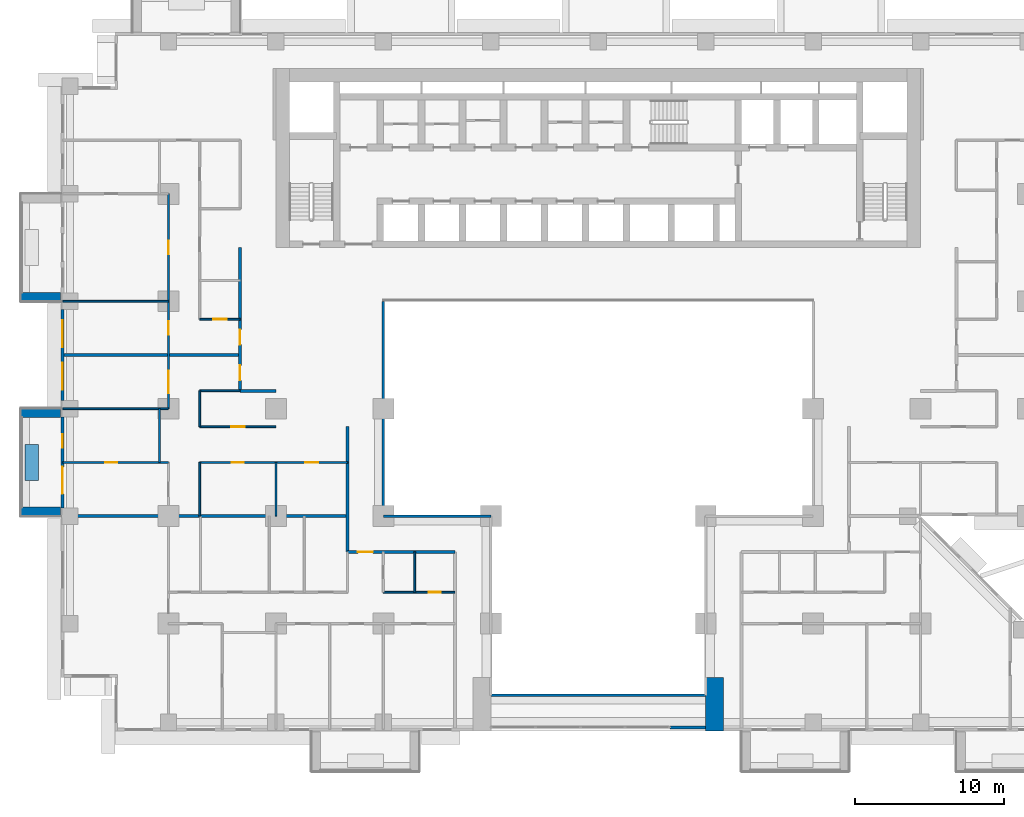
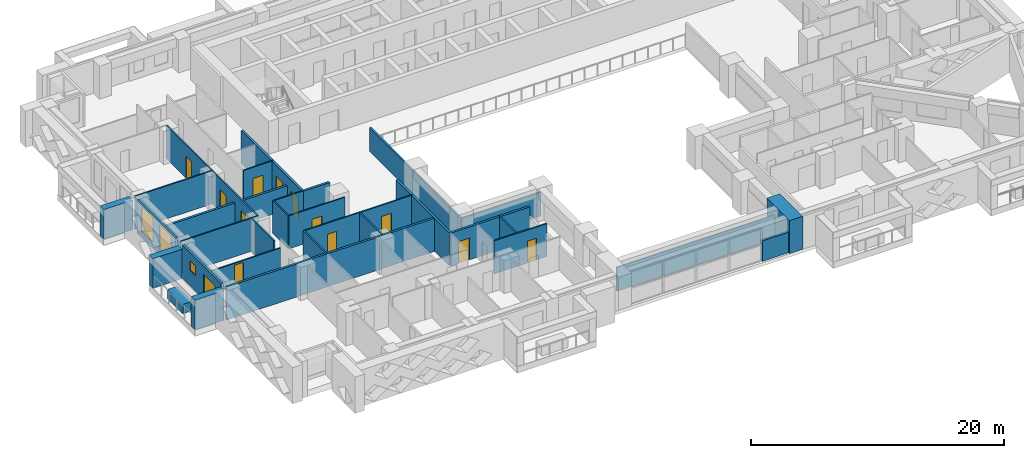
# One storey, part 7 of 17: 31 walls, 13 doors, 3 windows, 16 openings.
"""IFC4 building model written with IfcOpenShell, lengths in metres."""

from ifc_helpers import new_model, si_unit, direction, frame, frame_2d, origin, place, context, subcontext, project, spatial, rectangle, extrude, material, layer, layer_set, type_object, element, fill, save


model = new_model("IFC4")

# Units and contexts
model_context = context("Model", 3, precision=1e-05, world=origin(), true_north=direction((0.0, 1.0)))
body_context = subcontext(model_context, "Body", "Model", "MODEL_VIEW")
ifc_project = project(units=[si_unit("LENGTHUNIT", "METRE"), si_unit("AREAUNIT", "SQUARE_METRE"), si_unit("VOLUMEUNIT", "CUBIC_METRE"), si_unit("PLANEANGLEUNIT", "RADIAN"), si_unit("MASSUNIT", "GRAM", prefix="KILO")], contexts=[model_context])

# Site, building, storey
site_placement = place(None, origin())
site = spatial("IfcSite", under=ifc_project, at=site_placement, CompositionType="ELEMENT")
building_placement = place(site_placement, origin())
building = spatial("IfcBuilding", under=site, at=building_placement, Name="Saffron Iwan Residences", CompositionType="ELEMENT")
storey_placement = place(building_placement, frame((0.0, 0.0, 58.5)))
storey = spatial("IfcBuildingStorey", under=building, at=storey_placement, Name="L14", CompositionType="ELEMENT", Elevation=58.5)

# Walls
ifc_material_1 = material(Name="Fire-rated glazing", Category="glass")
ifc_layer_1 = layer(ifc_material_1, 0.14990234375)
ifc_layer_set_1 = layer_set([ifc_layer_1], Name="Fire-rated glazing")
wall_type_1 = type_object("IfcWallType", Name="Atrium glazed screen 150", PredefinedType="SOLIDWALL", material=ifc_layer_set_1)
wall_1_placement = place(storey_placement, frame((43.199951171875, 36.0, 0.0), z_axis=(0.0, 0.0, 1.0), x_axis=(1.0, 0.0, 0.0)))
element("IfcWall", 1, at=wall_1_placement, inside=storey, type_object=wall_type_1, Name="W-L14-SCREEN-h36-43.2", PredefinedType="SOLIDWALL", context=body_context, shape_type="SweptSolid", body=[
    extrude(rectangle(XDim=14.400146484375, YDim=0.14990234375, at=frame_2d((7.2001953125, 0.0))), origin(), (0.0, 0.0, 1.0), 2.280029296875),
])
wall_2_placement = place(storey_placement, frame((36.0, 48.0, 0.0), z_axis=(0.0, 0.0, 1.0), x_axis=(1.0, 0.0, 0.0)))
element("IfcWall", 2, at=wall_2_placement, inside=storey, type_object=wall_type_1, Name="W-L14-SCREEN-h48-36", PredefinedType="SOLIDWALL", context=body_context, shape_type="SweptSolid", body=[
    extrude(rectangle(XDim=7.199951171875, YDim=0.14990234375, at=frame_2d((3.60009765625, 0.0))), origin(), (0.0, 0.0, 1.0), 2.280029296875),
])
wall_3_placement = place(storey_placement, frame((36.0, 48.0, 0.0), z_axis=(0.0, 0.0, 1.0), x_axis=(0.0, 1.0, 0.0)))
element("IfcWall", 3, at=wall_3_placement, inside=storey, type_object=wall_type_1, Name="W-L14-SCREEN-v36-48", PredefinedType="SOLIDWALL", context=body_context, shape_type="SweptSolid", body=[
    extrude(rectangle(XDim=14.39990234375, YDim=0.14990234375, at=frame_2d((7.199951171875, 0.0))), origin(), (0.0, 0.0, 1.0), 2.280029296875),
])
ifc_material_2 = material(Name="Concrete C50/60 white painted", Category="concrete")
ifc_layer_2 = layer(ifc_material_2, 0.60009765625)
ifc_layer_set_2 = layer_set([ifc_layer_2], Name="Concrete C50/60 white painted")
wall_type_2 = type_object("IfcWallType", Name="BALCONY FIN 600", PredefinedType="SOLIDWALL", material=ifc_layer_set_2)
for number, where, z_axis, x_axis, name in (
    (4, (14.35009765625, 62.699951171875, 0.0), (0.0, 0.0, 1.0), (-1.0, 0.0, 0.0), "Balcony fin L14 F8-0b"),
    (5, (14.35009765625, 54.89990234375, 0.0), (0.0, 0.0, 1.0), (-1.0, 0.0, 0.0), "Balcony fin L14 F8-1a"),
    (6, (14.35009765625, 48.300048828125, 0.0), (0.0, 0.0, 1.0), (-1.0, 0.0, 0.0), "Balcony fin L14 F8-1b"),
):
    element("IfcWall", number, at=place(storey_placement, frame(where, z_axis=z_axis, x_axis=x_axis)), inside=storey, type_object=wall_type_2, Name=name, PredefinedType="SOLIDWALL", context=body_context, shape_type="SweptSolid", body=[
        extrude(rectangle(XDim=2.650146484375, YDim=0.60009765625, at=frame_2d((1.3251953125, 0.0))), origin(), (0.0, 0.0, 1.0), 2.85009765625),
    ])
ifc_material_3 = material(Name="Concrete C35/45 white painted", Category="concrete")
ifc_layer_3 = layer(ifc_material_3, 0.14990234375)
ifc_layer_set_3 = layer_set([ifc_layer_3], Name="Concrete C35/45 white painted")
wall_type_3 = type_object("IfcWallType", Name="BALCONY PLANTER", PredefinedType="SOLIDWALL", material=ifc_layer_set_3)
wall_4_placement = place(storey_placement, frame((12.425048828125, 52.800048828125, 0.0), z_axis=(0.0, 0.0, 1.0), x_axis=(0.0, -1.0, 0.0)))
element("IfcWall", 7, at=wall_4_placement, inside=storey, type_object=wall_type_3, Name="PLANTER L14 F8-1", PredefinedType="SOLIDWALL", context=body_context, shape_type="SweptSolid", body=[
    extrude(rectangle(XDim=2.400146484375, YDim=0.89990234375, at=frame_2d((1.2001953125, 0.0))), origin(), (0.0, 0.0, 1.0), 0.89990234375),
])

# Wall, openings, windows
ifc_material_4 = material(Name="Concrete C40/50", Category="concrete")
ifc_layer_4 = layer(ifc_material_4, 0.199951171875)
ifc_layer_set_4 = layer_set([ifc_layer_4], Name="Concrete C40/50")
wall_type_4 = type_object("IfcWallType", Name="EXTERNAL WALL 200", PredefinedType="SOLIDWALL", material=ifc_layer_set_4)
wall_5_placement = place(storey_placement, frame((14.5, 61.85009765625, 0.0), z_axis=(0.0, 0.0, 1.0), x_axis=(0.0, -1.0, 0.0)))
wall_5 = element("IfcWall", 8, at=wall_5_placement, inside=storey, type_object=wall_type_4, Name="External wall L14 F8.2", PredefinedType="SOLIDWALL", context=body_context, shape_type="SweptSolid", body=[
    extrude(rectangle(XDim=6.10009765625, YDim=0.199951171875, at=frame_2d((3.050048828125, 0.0))), origin(), (0.0, 0.0, 1.0), 3.179931640625),
])
opening_1_placement = place(wall_5_placement, frame((3.574951171875, 0.0, 0.60009765625)))
opening_1 = element("IfcOpeningElement", 9, at=opening_1_placement, cuts=wall_5, Name="Opening W8", PredefinedType="OPENING", context=body_context, shape_type="SweptSolid", body=[
    extrude(rectangle(XDim=1.800048828125, YDim=2.39990234375, at=frame_2d((0.89990234375, 1.199951171875))), frame((0.0, 0.10986328125, 0.0), z_axis=(0.0, -1.0, 0.0), x_axis=(1.0, 0.0, 0.0)), (0.0, 0.0, 1.0), 0.219970703125),
])
opening_2_placement = place(wall_5_placement, frame((0.72509765625, 0.0, 0.60009765625)))
opening_2 = element("IfcOpeningElement", 10, at=opening_2_placement, cuts=wall_5, Name="Opening W8", PredefinedType="OPENING", context=body_context, shape_type="SweptSolid", body=[
    extrude(rectangle(XDim=1.800048828125, YDim=2.39990234375, at=frame_2d((0.89990234375, 1.199951171875))), frame((0.0, 0.10986328125, 0.0), z_axis=(0.0, -1.0, 0.0), x_axis=(1.0, 0.0, 0.0)), (0.0, 0.0, 1.0), 0.219970703125),
])
ifc_material_5 = material(Name="Clear glass, laminated double glazed", Category="glass")
window_type_1 = type_object("IfcWindowType", Name="WINDOW 1800 x 2400", PartitioningType="DOUBLE_PANEL_VERTICAL", PredefinedType="WINDOW", material=ifc_material_5)
window_1_placement = place(opening_1_placement, origin())
window_1 = element("IfcWindow", 11, at=window_1_placement, inside=storey, type_object=window_type_1, Name="Window L14 F8.0", OverallHeight=2.39990234375, OverallWidth=1.800048828125, PartitioningType="DOUBLE_PANEL_VERTICAL", PredefinedType="WINDOW", context=body_context, shape_type="SweptSolid", body=[
    extrude(rectangle(XDim=1.800048828125, YDim=2.39990234375, at=frame_2d((0.89990234375, 1.199951171875))), frame((0.0, 0.030029296875, 0.0), z_axis=(0.0, -1.0, 0.0), x_axis=(1.0, 0.0, 0.0)), (0.0, 0.0, 1.0), 0.06005859375),
])
fill(opening_1, window_1)
window_2_placement = place(opening_2_placement, origin())
window_2 = element("IfcWindow", 12, at=window_2_placement, inside=storey, type_object=window_type_1, Name="Window L14 F8.1", OverallHeight=2.39990234375, OverallWidth=1.800048828125, PartitioningType="DOUBLE_PANEL_VERTICAL", PredefinedType="WINDOW", context=body_context, shape_type="SweptSolid", body=[
    extrude(rectangle(XDim=1.800048828125, YDim=2.39990234375, at=frame_2d((0.89990234375, 1.199951171875))), frame((0.0, 0.030029296875, 0.0), z_axis=(0.0, -1.0, 0.0), x_axis=(1.0, 0.0, 0.0)), (0.0, 0.0, 1.0), 0.06005859375),
])
fill(opening_2, window_2)

# Wall, openings, door, window
wall_6_placement = place(storey_placement, frame((14.5, 54.64990234375, 0.0), z_axis=(0.0, 0.0, 1.0), x_axis=(0.0, -1.0, 0.0)))
wall_6 = element("IfcWall", 13, at=wall_6_placement, inside=storey, type_object=wall_type_4, Name="External wall L14 F8.3", PredefinedType="SOLIDWALL", context=body_context, shape_type="SweptSolid", body=[
    extrude(rectangle(XDim=6.099853515625, YDim=0.199951171875, at=frame_2d((3.0498046875, 0.0))), origin(), (0.0, 0.0, 1.0), 3.179931640625),
])
opening_3_placement = place(wall_6_placement, frame((3.35009765625, 0.0, 0.0)))
opening_3 = element("IfcOpeningElement", 14, at=opening_3_placement, cuts=wall_6, Name="Opening BD1", PredefinedType="OPENING", context=body_context, shape_type="SweptSolid", body=[
    extrude(rectangle(XDim=1.800048828125, YDim=2.39990234375, at=frame_2d((0.89990234375, 1.199951171875))), frame((0.0, 0.10986328125, 0.0), z_axis=(0.0, -1.0, 0.0), x_axis=(1.0, 0.0, 0.0)), (0.0, 0.0, 1.0), 0.219970703125),
])
opening_4_placement = place(wall_6_placement, frame((1.175048828125, 0.0, 1.5)))
opening_4 = element("IfcOpeningElement", 15, at=opening_4_placement, cuts=wall_6, Name="Opening W6", PredefinedType="OPENING", context=body_context, shape_type="SweptSolid", body=[
    extrude(rectangle(XDim=0.89990234375, YDim=0.89990234375, at=frame_2d((0.449951171875, 0.449951171875))), frame((0.0, 0.10986328125, 0.0), z_axis=(0.0, -1.0, 0.0), x_axis=(1.0, 0.0, 0.0)), (0.0, 0.0, 1.0), 0.219970703125),
])
door_type_1 = type_object("IfcDoorType", Name="BALCONY DOOR 1800 x 2400", OperationType="DOUBLE_DOOR_SLIDING", PredefinedType="DOOR", material=ifc_material_5)
door_1_placement = place(opening_3_placement, origin())
door_1 = element("IfcDoor", 16, at=door_1_placement, inside=storey, type_object=door_type_1, Name="Balcony door L14 F8.0", OperationType="DOUBLE_DOOR_SLIDING", OverallHeight=2.39990234375, OverallWidth=1.800048828125, PredefinedType="DOOR", context=body_context, shape_type="SweptSolid", body=[
    extrude(rectangle(XDim=1.800048828125, YDim=2.39990234375, at=frame_2d((0.89990234375, 1.199951171875))), frame((0.0, 0.02490234375, 0.0), z_axis=(0.0, -1.0, 0.0), x_axis=(1.0, 0.0, 0.0)), (0.0, 0.0, 1.0), 0.050048828125),
])
fill(opening_3, door_1)
window_type_2 = type_object("IfcWindowType", Name="WINDOW 900 x 900 BATH", PartitioningType="SINGLE_PANEL", PredefinedType="WINDOW", material=ifc_material_5)
window_3_placement = place(opening_4_placement, origin())
window_3 = element("IfcWindow", 17, at=window_3_placement, inside=storey, type_object=window_type_2, Name="Window L14 F8.1", OverallHeight=0.89990234375, OverallWidth=0.89990234375, PartitioningType="SINGLE_PANEL", PredefinedType="WINDOW", context=body_context, shape_type="SweptSolid", body=[
    extrude(rectangle(XDim=0.89990234375, YDim=0.89990234375, at=frame_2d((0.449951171875, 0.449951171875))), frame((0.0, 0.030029296875, 0.0), z_axis=(0.0, -1.0, 0.0), x_axis=(1.0, 0.0, 0.0)), (0.0, 0.0, 1.0), 0.06005859375),
])
fill(opening_4, window_3)

# Walls
wall_7_placement = place(storey_placement, frame((55.199951171875, 33.85009765625, 0.0), z_axis=(0.0, 0.0, 1.0), x_axis=(1.0, 0.0, 0.0)))
element("IfcWall", 18, at=wall_7_placement, inside=storey, type_object=wall_type_4, Name="External wall infill CWB-L14-0", PredefinedType="SOLIDWALL", context=body_context, shape_type="SweptSolid", body=[
    extrude(rectangle(XDim=2.400146484375, YDim=0.199951171875, at=frame_2d((1.2001953125, 0.0))), origin(), (0.0, 0.0, 1.0), 1.97998046875),
])
ifc_material_6 = material(Name="Fire-rated gypsum board wall")
ifc_layer_5 = layer(ifc_material_6, 0.199951171875)
ifc_layer_set_5 = layer_set([ifc_layer_5], Name="Fire-rated gypsum board wall")
wall_type_5 = type_object("IfcWallType", Name="Flat demising wall 200", PredefinedType="SOLIDWALL", material=ifc_layer_set_5)
wall_8_placement = place(storey_placement, frame((14.52490234375, 48.0, 0.0), z_axis=(0.0, 0.0, 1.0), x_axis=(1.0, 0.0, 0.0)))
element("IfcWall", 19, at=wall_8_placement, inside=storey, type_object=wall_type_5, Name="W-L14-DEMISE-h48-14.525", PredefinedType="SOLIDWALL", context=body_context, shape_type="SweptSolid", body=[
    extrude(rectangle(XDim=19.0751953125, YDim=0.199951171875, at=frame_2d((9.53759765625, 0.0))), origin(), (0.0, 0.0, 1.0), 3.179931640625),
])
wall_9_placement = place(storey_placement, frame((14.52490234375, 58.800048828125, 0.0), z_axis=(0.0, 0.0, 1.0), x_axis=(1.0, 0.0, 0.0)))
element("IfcWall", 20, at=wall_9_placement, inside=storey, type_object=wall_type_5, Name="W-L14-DEMISE-h58.8-14.525", PredefinedType="SOLIDWALL", context=body_context, shape_type="SweptSolid", body=[
    extrude(rectangle(XDim=11.875, YDim=0.199951171875, at=frame_2d((5.9375, 0.0))), origin(), (0.0, 0.0, 1.0), 2.280029296875),
])

# Wall, opening, door
ifc_material_7 = material(Name="Gypsum board partition")
ifc_layer_6 = layer(ifc_material_7, 0.1201171875)
ifc_layer_set_6 = layer_set([ifc_layer_6], Name="Gypsum board partition")
wall_type_6 = type_object("IfcWallType", Name="Flat partition 120", PredefinedType="PARTITIONING", material=ifc_layer_set_6)
wall_10_placement = place(storey_placement, frame((36.0, 42.89990234375, 0.0), z_axis=(0.0, 0.0, 1.0), x_axis=(1.0, 0.0, 0.0)))
wall_10 = element("IfcWall", 21, at=wall_10_placement, inside=storey, type_object=wall_type_6, Name="W-L14-PART-h42.9-36", PredefinedType="PARTITIONING", context=body_context, shape_type="SweptSolid", body=[
    extrude(rectangle(XDim=4.800048828125, YDim=0.1201171875, at=frame_2d((2.39990234375, 0.0))), origin(), (0.0, 0.0, 1.0), 3.179931640625),
])
opening_5_placement = place(wall_10_placement, frame((3.050048828125, 0.0, 0.0)))
opening_5 = element("IfcOpeningElement", 22, at=opening_5_placement, cuts=wall_10, Name="Opening FD3", PredefinedType="OPENING", context=body_context, shape_type="SweptSolid", body=[
    extrude(rectangle(XDim=0.800048828125, YDim=2.10009765625, at=frame_2d((0.39990234375, 1.050048828125))), frame((0.0, 0.070068359375, 0.0), z_axis=(0.0, -1.0, 0.0), x_axis=(1.0, 0.0, 0.0)), (0.0, 0.0, 1.0), 0.14013671875),
])
ifc_material_8 = material(Name="Timber door", Category="wood")
door_type_2 = type_object("IfcDoorType", Name="Bathroom door 800", OperationType="NOTDEFINED", PredefinedType="DOOR", material=ifc_material_8)
door_2_placement = place(opening_5_placement, origin())
door_2 = element("IfcDoor", 23, at=door_2_placement, inside=storey, type_object=door_type_2, Name="Door L14-013", OperationType="SINGLE_SWING_LEFT", OverallHeight=2.10009765625, OverallWidth=0.800048828125, PredefinedType="DOOR", context=body_context, shape_type="SweptSolid", body=[
    extrude(rectangle(XDim=0.800048828125, YDim=2.10009765625, at=frame_2d((0.39990234375, 1.050048828125))), frame((0.0, 0.02490234375, 0.0), z_axis=(0.0, -1.0, 0.0), x_axis=(1.0, 0.0, 0.0)), (0.0, 0.0, 1.0), 0.050048828125),
])
fill(opening_5, door_2)

wall_11_placement = place(storey_placement, frame((14.52490234375, 51.60009765625, 0.0), z_axis=(0.0, 0.0, 1.0), x_axis=(1.0, 0.0, 0.0)))
wall_11 = element("IfcWall", 24, at=wall_11_placement, inside=storey, type_object=wall_type_6, Name="W-L14-PART-h51.6-14.525", PredefinedType="PARTITIONING", context=body_context, shape_type="SweptSolid", body=[
    extrude(rectangle(XDim=7.0751953125, YDim=0.1201171875, at=frame_2d((3.53759765625, 0.0))), origin(), (0.0, 0.0, 1.0), 2.280029296875),
])
opening_6_placement = place(wall_11_placement, frame((2.83740234375, 0.0, 0.0)))
opening_6 = element("IfcOpeningElement", 25, at=opening_6_placement, cuts=wall_11, Name="Opening FD3", PredefinedType="OPENING", context=body_context, shape_type="SweptSolid", body=[
    extrude(rectangle(XDim=0.800048828125, YDim=2.10009765625, at=frame_2d((0.39990234375, 1.050048828125))), frame((0.0, 0.070068359375, 0.0), z_axis=(0.0, -1.0, 0.0), x_axis=(1.0, 0.0, 0.0)), (0.0, 0.0, 1.0), 0.14013671875),
])
door_3_placement = place(opening_6_placement, origin())
door_3 = element("IfcDoor", 26, at=door_3_placement, inside=storey, type_object=door_type_2, Name="Door L14-016", OperationType="SINGLE_SWING_LEFT", OverallHeight=2.10009765625, OverallWidth=0.800048828125, PredefinedType="DOOR", context=body_context, shape_type="SweptSolid", body=[
    extrude(rectangle(XDim=0.800048828125, YDim=2.10009765625, at=frame_2d((0.39990234375, 1.050048828125))), frame((0.0, 0.02490234375, 0.0), z_axis=(0.0, -1.0, 0.0), x_axis=(1.0, 0.0, 0.0)), (0.0, 0.0, 1.0), 0.050048828125),
])
fill(opening_6, door_3)

# Wall, openings, doors
wall_12_placement = place(storey_placement, frame((23.699951171875, 51.60009765625, 0.0), z_axis=(0.0, 0.0, 1.0), x_axis=(1.0, 0.0, 0.0)))
wall_12 = element("IfcWall", 27, at=wall_12_placement, inside=storey, type_object=wall_type_6, Name="W-L14-PART-h51.6-23.7", PredefinedType="PARTITIONING", context=body_context, shape_type="SweptSolid", body=[
    extrude(rectangle(XDim=9.900146484375, YDim=0.1201171875, at=frame_2d((4.9501953125, 0.0))), origin(), (0.0, 0.0, 1.0), 3.179931640625),
])
opening_7_placement = place(wall_12_placement, frame((2.14990234375, 0.0, 0.0)))
opening_7 = element("IfcOpeningElement", 28, at=opening_7_placement, cuts=wall_12, Name="Opening FD3", PredefinedType="OPENING", context=body_context, shape_type="SweptSolid", body=[
    extrude(rectangle(XDim=0.800048828125, YDim=2.10009765625, at=frame_2d((0.39990234375, 1.050048828125))), frame((0.0, 0.070068359375, 0.0), z_axis=(0.0, -1.0, 0.0), x_axis=(1.0, 0.0, 0.0)), (0.0, 0.0, 1.0), 0.14013671875),
])
opening_8_placement = place(wall_12_placement, frame((7.050048828125, 0.0, 0.0)))
opening_8 = element("IfcOpeningElement", 29, at=opening_8_placement, cuts=wall_12, Name="Opening FD2", PredefinedType="OPENING", context=body_context, shape_type="SweptSolid", body=[
    extrude(rectangle(XDim=0.89990234375, YDim=2.10009765625, at=frame_2d((0.449951171875, 1.050048828125))), frame((0.0, 0.070068359375, 0.0), z_axis=(0.0, -1.0, 0.0), x_axis=(1.0, 0.0, 0.0)), (0.0, 0.0, 1.0), 0.14013671875),
])
door_4_placement = place(opening_7_placement, origin())
door_4 = element("IfcDoor", 30, at=door_4_placement, inside=storey, type_object=door_type_2, Name="Door L14-018", OperationType="SINGLE_SWING_LEFT", OverallHeight=2.10009765625, OverallWidth=0.800048828125, PredefinedType="DOOR", context=body_context, shape_type="SweptSolid", body=[
    extrude(rectangle(XDim=0.800048828125, YDim=2.10009765625, at=frame_2d((0.39990234375, 1.050048828125))), frame((0.0, 0.02490234375, 0.0), z_axis=(0.0, -1.0, 0.0), x_axis=(1.0, 0.0, 0.0)), (0.0, 0.0, 1.0), 0.050048828125),
])
fill(opening_7, door_4)
door_type_3 = type_object("IfcDoorType", Name="Flat door 900", OperationType="NOTDEFINED", PredefinedType="DOOR", material=ifc_material_8)
door_5_placement = place(opening_8_placement, origin())
door_5 = element("IfcDoor", 31, at=door_5_placement, inside=storey, type_object=door_type_3, Name="Door L14-020", OperationType="SINGLE_SWING_RIGHT", OverallHeight=2.10009765625, OverallWidth=0.89990234375, PredefinedType="DOOR", context=body_context, shape_type="SweptSolid", body=[
    extrude(rectangle(XDim=0.89990234375, YDim=2.10009765625, at=frame_2d((0.449951171875, 1.050048828125))), frame((0.0, 0.02490234375, 0.0), z_axis=(0.0, -1.0, 0.0), x_axis=(1.0, 0.0, 0.0)), (0.0, 0.0, 1.0), 0.050048828125),
])
fill(opening_8, door_5)

# Wall, opening, door
wall_13_placement = place(storey_placement, frame((23.699951171875, 54.0, 0.0), z_axis=(0.0, 0.0, 1.0), x_axis=(1.0, 0.0, 0.0)))
wall_13 = element("IfcWall", 32, at=wall_13_placement, inside=storey, type_object=wall_type_6, Name="W-L14-PART-h54-23.7", PredefinedType="PARTITIONING", context=body_context, shape_type="SweptSolid", body=[
    extrude(rectangle(XDim=5.10009765625, YDim=0.1201171875, at=frame_2d((2.550048828125, 0.0))), origin(), (0.0, 0.0, 1.0), 3.179931640625),
])
opening_9_placement = place(wall_13_placement, frame((2.10009765625, 0.0, 0.0)))
opening_9 = element("IfcOpeningElement", 33, at=opening_9_placement, cuts=wall_13, Name="Opening FD2", PredefinedType="OPENING", context=body_context, shape_type="SweptSolid", body=[
    extrude(rectangle(XDim=0.89990234375, YDim=2.10009765625, at=frame_2d((0.449951171875, 1.050048828125))), frame((0.0, 0.070068359375, 0.0), z_axis=(0.0, -1.0, 0.0), x_axis=(1.0, 0.0, 0.0)), (0.0, 0.0, 1.0), 0.14013671875),
])
door_6_placement = place(opening_9_placement, origin())
door_6 = element("IfcDoor", 34, at=door_6_placement, inside=storey, type_object=door_type_3, Name="Door L14-019", OperationType="SINGLE_SWING_LEFT", OverallHeight=2.10009765625, OverallWidth=0.89990234375, PredefinedType="DOOR", context=body_context, shape_type="SweptSolid", body=[
    extrude(rectangle(XDim=0.89990234375, YDim=2.10009765625, at=frame_2d((0.449951171875, 1.050048828125))), frame((0.0, 0.02490234375, 0.0), z_axis=(0.0, -1.0, 0.0), x_axis=(1.0, 0.0, 0.0)), (0.0, 0.0, 1.0), 0.050048828125),
])
fill(opening_9, door_6)

# Walls
wall_14_placement = place(storey_placement, frame((14.52490234375, 55.199951171875, 0.0), z_axis=(0.0, 0.0, 1.0), x_axis=(1.0, 0.0, 0.0)))
element("IfcWall", 35, at=wall_14_placement, inside=storey, type_object=wall_type_6, Name="W-L14-PART-h55.2-14.525", PredefinedType="PARTITIONING", context=body_context, shape_type="SweptSolid", body=[
    extrude(rectangle(XDim=7.0751953125, YDim=0.1201171875, at=frame_2d((3.53759765625, 0.0))), origin(), (0.0, 0.0, 1.0), 3.179931640625),
])
wall_15_placement = place(storey_placement, frame((23.699951171875, 56.39990234375, 0.0), z_axis=(0.0, 0.0, 1.0), x_axis=(1.0, 0.0, 0.0)))
element("IfcWall", 36, at=wall_15_placement, inside=storey, type_object=wall_type_6, Name="W-L14-PART-h56.4-23.7", PredefinedType="PARTITIONING", context=body_context, shape_type="SweptSolid", body=[
    extrude(rectangle(XDim=2.699951171875, YDim=0.1201171875, at=frame_2d((1.35009765625, 0.0))), origin(), (0.0, 0.0, 1.0), 3.179931640625),
])

# Wall, opening, door
wall_16_placement = place(storey_placement, frame((23.699951171875, 61.199951171875, 0.0), z_axis=(0.0, 0.0, 1.0), x_axis=(1.0, 0.0, 0.0)))
wall_16 = element("IfcWall", 37, at=wall_16_placement, inside=storey, type_object=wall_type_6, Name="W-L14-PART-h61.2-23.7", PredefinedType="PARTITIONING", context=body_context, shape_type="SweptSolid", body=[
    extrude(rectangle(XDim=2.699951171875, YDim=0.1201171875, at=frame_2d((1.35009765625, 0.0))), origin(), (0.0, 0.0, 1.0), 3.179931640625),
])
opening_10_placement = place(wall_16_placement, frame((0.89990234375, 0.0, 0.0)))
opening_10 = element("IfcOpeningElement", 38, at=opening_10_placement, cuts=wall_16, Name="Opening FD2", PredefinedType="OPENING", context=body_context, shape_type="SweptSolid", body=[
    extrude(rectangle(XDim=0.89990234375, YDim=2.10009765625, at=frame_2d((0.449951171875, 1.050048828125))), frame((0.0, 0.070068359375, 0.0), z_axis=(0.0, -1.0, 0.0), x_axis=(1.0, 0.0, 0.0)), (0.0, 0.0, 1.0), 0.14013671875),
])
door_7_placement = place(opening_10_placement, origin())
door_7 = element("IfcDoor", 39, at=door_7_placement, inside=storey, type_object=door_type_3, Name="Door L14-033", OperationType="SINGLE_SWING_LEFT", OverallHeight=2.10009765625, OverallWidth=0.89990234375, PredefinedType="DOOR", context=body_context, shape_type="SweptSolid", body=[
    extrude(rectangle(XDim=0.89990234375, YDim=2.10009765625, at=frame_2d((0.449951171875, 1.050048828125))), frame((0.0, 0.02490234375, 0.0), z_axis=(0.0, -1.0, 0.0), x_axis=(1.0, 0.0, 0.0)), (0.0, 0.0, 1.0), 0.050048828125),
])
fill(opening_10, door_7)

# Walls
wall_17_placement = place(storey_placement, frame((14.52490234375, 62.39990234375, 0.0), z_axis=(0.0, 0.0, 1.0), x_axis=(1.0, 0.0, 0.0)))
element("IfcWall", 40, at=wall_17_placement, inside=storey, type_object=wall_type_6, Name="W-L14-PART-h62.4-14.525", PredefinedType="PARTITIONING", context=body_context, shape_type="SweptSolid", body=[
    extrude(rectangle(XDim=7.0751953125, YDim=0.1201171875, at=frame_2d((3.53759765625, 0.0))), origin(), (0.0, 0.0, 1.0), 3.179931640625),
])
wall_18_placement = place(storey_placement, frame((21.0, 51.60009765625, 0.0), z_axis=(0.0, 0.0, 1.0), x_axis=(0.0, 1.0, 0.0)))
element("IfcWall", 41, at=wall_18_placement, inside=storey, type_object=wall_type_6, Name="W-L14-PART-v21-51.6", PredefinedType="PARTITIONING", context=body_context, shape_type="SweptSolid", body=[
    extrude(rectangle(XDim=3.599853515625, YDim=0.1201171875, at=frame_2d((1.7998046875, 0.0))), origin(), (0.0, 0.0, 1.0), 3.179931640625),
])

# Wall, openings, doors
wall_19_placement = place(storey_placement, frame((21.60009765625, 55.199951171875, 0.0), z_axis=(0.0, 0.0, 1.0), x_axis=(0.0, 1.0, 0.0)))
wall_19 = element("IfcWall", 42, at=wall_19_placement, inside=storey, type_object=wall_type_6, Name="W-L14-PART-v21.6-55.2", PredefinedType="PARTITIONING", context=body_context, shape_type="SweptSolid", body=[
    extrude(rectangle(XDim=14.400146484375, YDim=0.1201171875, at=frame_2d((7.2001953125, 0.0))), origin(), (0.0, 0.0, 1.0), 3.179931640625),
])
opening_11_placement = place(wall_19_placement, frame((1.050048828125, 0.0, 0.0)))
opening_11 = element("IfcOpeningElement", 43, at=opening_11_placement, cuts=wall_19, Name="Opening FD4", PredefinedType="OPENING", context=body_context, shape_type="SweptSolid", body=[
    extrude(rectangle(XDim=1.5, YDim=2.10009765625, at=frame_2d((0.75, 1.050048828125))), frame((0.0, 0.070068359375, 0.0), z_axis=(0.0, -1.0, 0.0), x_axis=(1.0, 0.0, 0.0)), (0.0, 0.0, 1.0), 0.14013671875),
])
opening_12_placement = place(wall_19_placement, frame((4.949951171875, 0.0, 0.0)))
opening_12 = element("IfcOpeningElement", 44, at=opening_12_placement, cuts=wall_19, Name="Opening FD2", PredefinedType="OPENING", context=body_context, shape_type="SweptSolid", body=[
    extrude(rectangle(XDim=0.89990234375, YDim=2.10009765625, at=frame_2d((0.449951171875, 1.050048828125))), frame((0.0, 0.070068359375, 0.0), z_axis=(0.0, -1.0, 0.0), x_axis=(1.0, 0.0, 0.0)), (0.0, 0.0, 1.0), 0.14013671875),
])
opening_13_placement = place(wall_19_placement, frame((10.35009765625, 0.0, 0.0)))
opening_13 = element("IfcOpeningElement", 45, at=opening_13_placement, cuts=wall_19, Name="Opening FD2", PredefinedType="OPENING", context=body_context, shape_type="SweptSolid", body=[
    extrude(rectangle(XDim=0.89990234375, YDim=2.10009765625, at=frame_2d((0.449951171875, 1.050048828125))), frame((0.0, 0.070068359375, 0.0), z_axis=(0.0, -1.0, 0.0), x_axis=(1.0, 0.0, 0.0)), (0.0, 0.0, 1.0), 0.14013671875),
])
door_type_4 = type_object("IfcDoorType", Name="Double door 1500", OperationType="NOTDEFINED", PredefinedType="DOOR", material=ifc_material_8)
door_8_placement = place(opening_11_placement, origin())
door_8 = element("IfcDoor", 46, at=door_8_placement, inside=storey, type_object=door_type_4, Name="Door L14-017", OperationType="SINGLE_SWING_RIGHT", OverallHeight=2.10009765625, OverallWidth=1.5, PredefinedType="DOOR", context=body_context, shape_type="SweptSolid", body=[
    extrude(rectangle(XDim=1.5, YDim=2.10009765625, at=frame_2d((0.75, 1.050048828125))), frame((0.0, 0.02490234375, 0.0), z_axis=(0.0, -1.0, 0.0), x_axis=(1.0, 0.0, 0.0)), (0.0, 0.0, 1.0), 0.050048828125),
])
fill(opening_11, door_8)
door_9_placement = place(opening_12_placement, origin())
door_9 = element("IfcDoor", 47, at=door_9_placement, inside=storey, type_object=door_type_3, Name="Door L14-029", OperationType="SINGLE_SWING_RIGHT", OverallHeight=2.10009765625, OverallWidth=0.89990234375, PredefinedType="DOOR", context=body_context, shape_type="SweptSolid", body=[
    extrude(rectangle(XDim=0.89990234375, YDim=2.10009765625, at=frame_2d((0.449951171875, 1.050048828125))), frame((0.0, 0.02490234375, 0.0), z_axis=(0.0, -1.0, 0.0), x_axis=(1.0, 0.0, 0.0)), (0.0, 0.0, 1.0), 0.050048828125),
])
fill(opening_12, door_9)
door_10_placement = place(opening_13_placement, origin())
door_10 = element("IfcDoor", 48, at=door_10_placement, inside=storey, type_object=door_type_3, Name="Door L14-030", OperationType="SINGLE_SWING_LEFT", OverallHeight=2.10009765625, OverallWidth=0.89990234375, PredefinedType="DOOR", context=body_context, shape_type="SweptSolid", body=[
    extrude(rectangle(XDim=0.89990234375, YDim=2.10009765625, at=frame_2d((0.449951171875, 1.050048828125))), frame((0.0, 0.02490234375, 0.0), z_axis=(0.0, -1.0, 0.0), x_axis=(1.0, 0.0, 0.0)), (0.0, 0.0, 1.0), 0.050048828125),
])
fill(opening_13, door_10)

# Walls
wall_20_placement = place(storey_placement, frame((23.699951171875, 48.0, 0.0), z_axis=(0.0, 0.0, 1.0), x_axis=(0.0, 1.0, 0.0)))
element("IfcWall", 49, at=wall_20_placement, inside=storey, type_object=wall_type_6, Name="W-L14-PART-v23.7-48", PredefinedType="PARTITIONING", context=body_context, shape_type="SweptSolid", body=[
    extrude(rectangle(XDim=3.60009765625, YDim=0.1201171875, at=frame_2d((1.800048828125, 0.0))), origin(), (0.0, 0.0, 1.0), 3.179931640625),
])
wall_21_placement = place(storey_placement, frame((23.699951171875, 54.0, 0.0), z_axis=(0.0, 0.0, 1.0), x_axis=(0.0, 1.0, 0.0)))
element("IfcWall", 50, at=wall_21_placement, inside=storey, type_object=wall_type_6, Name="W-L14-PART-v23.7-54", PredefinedType="PARTITIONING", context=body_context, shape_type="SweptSolid", body=[
    extrude(rectangle(XDim=2.39990234375, YDim=0.1201171875, at=frame_2d((1.199951171875, 0.0))), origin(), (0.0, 0.0, 1.0), 3.179931640625),
])
wall_22_placement = place(storey_placement, frame((28.800048828125, 48.0, 0.0), z_axis=(0.0, 0.0, 1.0), x_axis=(0.0, 1.0, 0.0)))
element("IfcWall", 51, at=wall_22_placement, inside=storey, type_object=wall_type_6, Name="W-L14-PART-v28.8-48", PredefinedType="PARTITIONING", context=body_context, shape_type="SweptSolid", body=[
    extrude(rectangle(XDim=3.60009765625, YDim=0.1201171875, at=frame_2d((1.800048828125, 0.0))), origin(), (0.0, 0.0, 1.0), 3.179931640625),
])
wall_23_placement = place(storey_placement, frame((38.10009765625, 42.89990234375, 0.0), z_axis=(0.0, 0.0, 1.0), x_axis=(0.0, 1.0, 0.0)))
element("IfcWall", 52, at=wall_23_placement, inside=storey, type_object=wall_type_6, Name="W-L14-PART-v38.1-42.9", PredefinedType="PARTITIONING", context=body_context, shape_type="SweptSolid", body=[
    extrude(rectangle(XDim=2.7001953125, YDim=0.1201171875, at=frame_2d((1.35009765625, 0.0))), origin(), (0.0, 0.0, 1.0), 3.179931640625),
])

# Wall, opening, door
ifc_layer_7 = layer(ifc_material_6, 0.199951171875)
ifc_layer_set_7 = layer_set([ifc_layer_7], Name="Fire-rated gypsum board wall")
wall_type_7 = type_object("IfcWallType", Name="Gallery wall 200", PredefinedType="SOLIDWALL", material=ifc_layer_set_7)
wall_24_placement = place(storey_placement, frame((33.60009765625, 45.60009765625, 0.0), z_axis=(0.0, 0.0, 1.0), x_axis=(1.0, 0.0, 0.0)))
wall_24 = element("IfcWall", 53, at=wall_24_placement, inside=storey, type_object=wall_type_7, Name="W-L14-CORR-h45.6-33.6", PredefinedType="SOLIDWALL", context=body_context, shape_type="SweptSolid", body=[
    extrude(rectangle(XDim=7.199951171875, YDim=0.199951171875, at=frame_2d((3.60009765625, 0.0))), origin(), (0.0, 0.0, 1.0), 3.179931640625),
])
opening_14_placement = place(wall_24_placement, frame((0.699951171875, 0.0, 0.0)))
opening_14 = element("IfcOpeningElement", 54, at=opening_14_placement, cuts=wall_24, Name="Opening FD1", PredefinedType="OPENING", context=body_context, shape_type="SweptSolid", body=[
    extrude(rectangle(XDim=1.0, YDim=2.10009765625, at=frame_2d((0.5, 1.050048828125))), frame((0.0, 0.10986328125, 0.0), z_axis=(0.0, -1.0, 0.0), x_axis=(1.0, 0.0, 0.0)), (0.0, 0.0, 1.0), 0.219970703125),
])
ifc_material_9 = material(Name="Fire-rated timber door", Category="wood")
door_type_5 = type_object("IfcDoorType", Name="FD30S flat entrance door 1000", OperationType="NOTDEFINED", PredefinedType="DOOR", material=ifc_material_9)
door_11_placement = place(opening_14_placement, origin())
door_11 = element("IfcDoor", 55, at=door_11_placement, inside=storey, type_object=door_type_5, Name="Door L14-001", OperationType="SINGLE_SWING_LEFT", OverallHeight=2.10009765625, OverallWidth=1.0, PredefinedType="DOOR", context=body_context, shape_type="SweptSolid", body=[
    extrude(rectangle(XDim=1.0, YDim=2.10009765625, at=frame_2d((0.5, 1.050048828125))), frame((0.0, 0.02490234375, 0.0), z_axis=(0.0, -1.0, 0.0), x_axis=(1.0, 0.0, 0.0)), (0.0, 0.0, 1.0), 0.050048828125),
])
fill(opening_14, door_11)

# Wall
wall_25_placement = place(storey_placement, frame((26.39990234375, 56.39990234375, 0.0), z_axis=(0.0, 0.0, 1.0), x_axis=(1.0, 0.0, 0.0)))
element("IfcWall", 56, at=wall_25_placement, inside=storey, type_object=wall_type_7, Name="W-L14-CORR-h56.4-26.4", PredefinedType="SOLIDWALL", context=body_context, shape_type="SweptSolid", body=[
    extrude(rectangle(XDim=2.400146484375, YDim=0.199951171875, at=frame_2d((1.2001953125, 0.0))), origin(), (0.0, 0.0, 1.0), 3.179931640625),
])

# Wall, openings, doors
wall_26_placement = place(storey_placement, frame((26.39990234375, 56.39990234375, 0.0), z_axis=(0.0, 0.0, 1.0), x_axis=(0.0, 1.0, 0.0)))
wall_26 = element("IfcWall", 57, at=wall_26_placement, inside=storey, type_object=wall_type_7, Name="W-L14-CORR-v26.4-56.4", PredefinedType="SOLIDWALL", context=body_context, shape_type="SweptSolid", body=[
    extrude(rectangle(XDim=9.60009765625, YDim=0.199951171875, at=frame_2d((4.800048828125, 0.0))), origin(), (0.0, 0.0, 1.0), 3.179931640625),
])
opening_15_placement = place(wall_26_placement, frame((0.699951171875, 0.0, 0.0)))
opening_15 = element("IfcOpeningElement", 58, at=opening_15_placement, cuts=wall_26, Name="Opening FD1", PredefinedType="OPENING", context=body_context, shape_type="SweptSolid", body=[
    extrude(rectangle(XDim=1.0, YDim=2.10009765625, at=frame_2d((0.5, 1.050048828125))), frame((0.0, 0.10986328125, 0.0), z_axis=(0.0, -1.0, 0.0), x_axis=(1.0, 0.0, 0.0)), (0.0, 0.0, 1.0), 0.219970703125),
])
opening_16_placement = place(wall_26_placement, frame((3.10009765625, 0.0, 0.0)))
opening_16 = element("IfcOpeningElement", 59, at=opening_16_placement, cuts=wall_26, Name="Opening FD1", PredefinedType="OPENING", context=body_context, shape_type="SweptSolid", body=[
    extrude(rectangle(XDim=1.0, YDim=2.10009765625, at=frame_2d((0.5, 1.050048828125))), frame((0.0, 0.10986328125, 0.0), z_axis=(0.0, -1.0, 0.0), x_axis=(1.0, 0.0, 0.0)), (0.0, 0.0, 1.0), 0.219970703125),
])
door_12_placement = place(opening_15_placement, origin())
door_12 = element("IfcDoor", 60, at=door_12_placement, inside=storey, type_object=door_type_5, Name="Door L14-014", OperationType="SINGLE_SWING_RIGHT", OverallHeight=2.10009765625, OverallWidth=1.0, PredefinedType="DOOR", context=body_context, shape_type="SweptSolid", body=[
    extrude(rectangle(XDim=1.0, YDim=2.10009765625, at=frame_2d((0.5, 1.050048828125))), frame((0.0, 0.02490234375, 0.0), z_axis=(0.0, -1.0, 0.0), x_axis=(1.0, 0.0, 0.0)), (0.0, 0.0, 1.0), 0.050048828125),
])
fill(opening_15, door_12)
door_13_placement = place(opening_16_placement, origin())
door_13 = element("IfcDoor", 61, at=door_13_placement, inside=storey, type_object=door_type_5, Name="Door L14-028", OperationType="SINGLE_SWING_LEFT", OverallHeight=2.10009765625, OverallWidth=1.0, PredefinedType="DOOR", context=body_context, shape_type="SweptSolid", body=[
    extrude(rectangle(XDim=1.0, YDim=2.10009765625, at=frame_2d((0.5, 1.050048828125))), frame((0.0, 0.02490234375, 0.0), z_axis=(0.0, -1.0, 0.0), x_axis=(1.0, 0.0, 0.0)), (0.0, 0.0, 1.0), 0.050048828125),
])
fill(opening_16, door_13)

# Walls
wall_27_placement = place(storey_placement, frame((33.60009765625, 45.60009765625, 0.0), z_axis=(0.0, 0.0, 1.0), x_axis=(0.0, 1.0, 0.0)))
element("IfcWall", 62, at=wall_27_placement, inside=storey, type_object=wall_type_7, Name="W-L14-CORR-v33.6-45.6", PredefinedType="SOLIDWALL", context=body_context, shape_type="SweptSolid", body=[
    extrude(rectangle(XDim=8.39990234375, YDim=0.199951171875, at=frame_2d((4.199951171875, 0.0))), origin(), (0.0, 0.0, 1.0), 3.179931640625),
])
ifc_material_10 = material(Name="Concrete C60/75", Category="concrete")
ifc_layer_8 = layer(ifc_material_10, 1.199951171875)
ifc_layer_set_8 = layer_set([ifc_layer_8], Name="Concrete C60/75")
wall_type_8 = type_object("IfcWallType", Name="WALL IWAN PIER 1200 C60/75 3180 HIGH", PredefinedType="SHEAR", material=ifc_layer_set_8)
wall_28_placement = place(storey_placement, frame((58.199951171875, 33.60009765625, 0.0), z_axis=(0.0, 0.0, 1.0), x_axis=(0.0, 1.0, 0.0)))
element("IfcWall", 63, at=wall_28_placement, inside=storey, type_object=wall_type_8, Name="IWAN PIER", PredefinedType="SHEAR", context=body_context, shape_type="SweptSolid", body=[
    extrude(rectangle(XDim=3.599853515625, YDim=1.199951171875, at=frame_2d((1.7998046875, 0.0))), origin(), (0.0, 0.0, 1.0), 3.179931640625),
])

save(model, "model.ifc")
